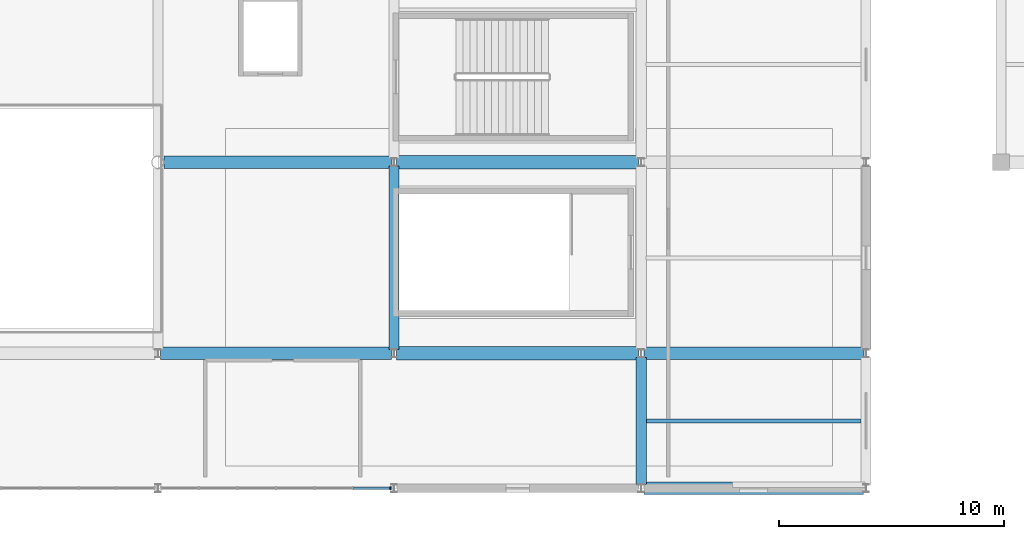
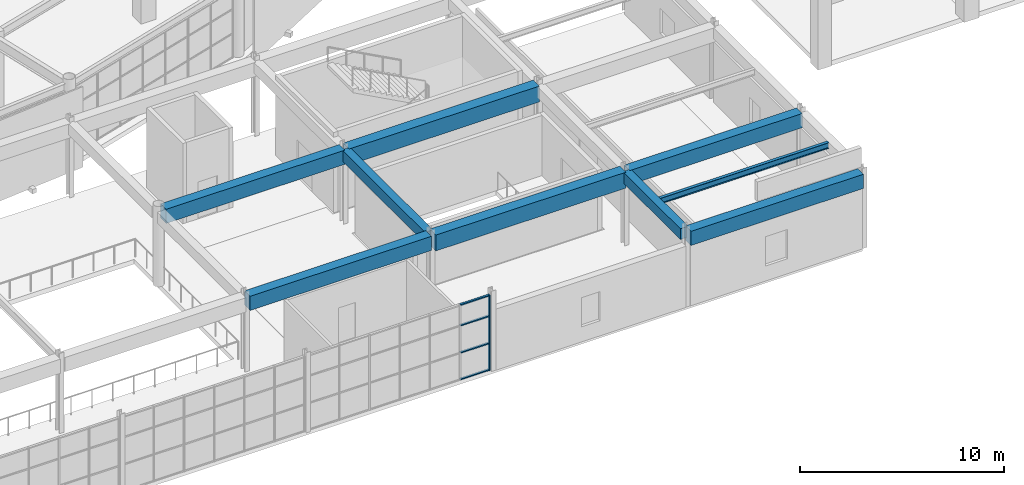
# One storey, part 29 of 112: 9 beams, 5 members, 1 element without a shape of its own.
"""IFC4 building model written with IfcOpenShell, lengths in metres."""

import ifcopenshell
import ifcopenshell.guid

model = None  # the IFC model being written
_history = None  # IfcOwnerHistory: only IFC2X3 demands one
_inside = {}  # id of a spatial element -> (the spatial element, [elements in it])
_under = {}  # id of a project, library or spatial element -> (it, [spatial elements below it])
_declared = {}  # id of a project -> (the project, [libraries it declares])
_typed = {}  # id of a type object -> (the type object, [elements of that type])
_made_of = {}  # id of a material, layer set ... -> (it, [elements and type objects made of it])


def new_model(schema):
    """Start an empty IFC model of exactly this schema.

    Asked for "IFC4X3", IfcOpenShell would pick the latest addendum, in which some entities
    have other attributes; the version numbers below select the first issue.
    IFC2X3 requires an IfcOwnerHistory on every rooted entity: one is made here for all.
    """
    global model, _history
    if schema == "IFC4X3":
        model = ifcopenshell.file(schema_version=(4, 3, 0, 0))
    else:
        model = ifcopenshell.file(schema=schema)
    _inside.clear()
    _under.clear()
    _declared.clear()
    _typed.clear()
    _made_of.clear()
    _history = None
    if model.schema == "IFC2X3":
        org = make("IfcOrganization", Name="unknown")
        user = make(
            "IfcPersonAndOrganization",
            ThePerson=make("IfcPerson", FamilyName="unknown"),
            TheOrganization=org,
        )
        app = make(
            "IfcApplication",
            ApplicationDeveloper=org,
            Version="unknown",
            ApplicationFullName="unknown",
            ApplicationIdentifier="unknown",
        )
        _history = make(
            "IfcOwnerHistory",
            OwningUser=user,
            OwningApplication=app,
            ChangeAction="ADDED",
            CreationDate=0,
        )
    return model


def make(cls, **values):
    """One entity of the class cls with the attributes given. An attribute that is None is left unset."""
    return model.create_entity(
        cls, **{name: value for name, value in values.items() if value is not None}
    )


def rooted(cls, **values):
    """An entity with a GlobalId (a new one), such as an element, a storey or a relation."""
    return make(cls, GlobalId=ifcopenshell.guid.new(), OwnerHistory=_history, **values)


def si_unit(unit_type, name, prefix=None):
    """IfcSIUnit, for example si_unit("LENGTHUNIT", "METRE", prefix="MILLI")."""
    return make("IfcSIUnit", UnitType=unit_type, Prefix=prefix, Name=name)


def assignment(units):
    """IfcUnitAssignment: the units of a project."""
    return None if units is None else make("IfcUnitAssignment", Units=units)


def point(xyz):
    """IfcCartesianPoint."""
    return None if xyz is None else make("IfcCartesianPoint", Coordinates=xyz)


def direction(xyz):
    """IfcDirection."""
    return None if xyz is None else make("IfcDirection", DirectionRatios=xyz)


def frame(location, z_axis=None, x_axis=None):
    """IfcAxis2Placement3D, a coordinate frame: its origin and axes. An axis left out is left unset."""
    return make(
        "IfcAxis2Placement3D",
        Location=point(location),
        Axis=direction(z_axis),
        RefDirection=direction(x_axis),
    )


def frame_2d(location, x_axis=None):
    """IfcAxis2Placement2D, a coordinate frame in the plane: its origin and x axis."""
    return make(
        "IfcAxis2Placement2D", Location=point(location), RefDirection=direction(x_axis)
    )


def origin():
    """The frame at (0, 0, 0) with its axes left unset."""
    return frame((0.0, 0.0, 0.0))


def origin_2d():
    """The frame at (0, 0) in the plane with its x axis left unset."""
    return frame_2d((0.0, 0.0))


def place(relative_to, where):
    """IfcLocalPlacement: puts the frame where relative to a parent placement (None: the world)."""
    return make(
        "IfcLocalPlacement", PlacementRelTo=relative_to, RelativePlacement=where
    )


def context(
    kind, dimensions, precision=None, world=None, true_north=None, identifier=None
):
    """IfcGeometricRepresentationContext, for example the 3D "Model" context."""
    return make(
        "IfcGeometricRepresentationContext",
        ContextIdentifier=identifier,
        ContextType=kind,
        CoordinateSpaceDimension=dimensions,
        Precision=precision,
        WorldCoordinateSystem=world,
        TrueNorth=true_north,
    )


def subcontext(parent, identifier, kind, view, scale=None):
    """IfcGeometricRepresentationSubContext, for example "Body" below "Model"."""
    return make(
        "IfcGeometricRepresentationSubContext",
        ContextIdentifier=identifier,
        ContextType=kind,
        ParentContext=parent,
        TargetScale=scale,
        TargetView=view,
    )


def project(units=None, contexts=None):
    """IfcProject with its units and contexts."""
    return rooted(
        "IfcProject",
        Name="project",
        RepresentationContexts=contexts,
        UnitsInContext=assignment(units),
    )


def spatial(cls, under=None, at=None, **own):
    """A site, building, storey or space (cls), placed at a placement, below another one or the project."""
    s = rooted(cls, ObjectPlacement=at, **own)
    if under is not None:
        _under.setdefault(under.id(), (under, []))[1].append(s)
    return s


def profile(cls, at=None, kind="AREA", **sizes):
    """A parametric profile (cls). Its sizes go by their IFC names, for example OverallWidth=200.0."""
    return make(cls, ProfileType=kind, Position=at, **sizes)


def rectangle(**sizes):
    """IfcRectangleProfileDef."""
    return profile("IfcRectangleProfileDef", **sizes)


def i_section(**sizes):
    """IfcIShapeProfileDef."""
    return profile("IfcIShapeProfileDef", **sizes)


def extrude(swept, where, along, depth):
    """IfcExtrudedAreaSolid: the profile swept, set in the frame where, extruded along a direction by depth."""
    return make(
        "IfcExtrudedAreaSolid",
        SweptArea=swept,
        Position=where,
        ExtrudedDirection=direction(along),
        Depth=depth,
    )


def shape(context_of_items, identifier, shape_type, items):
    """IfcShapeRepresentation: the items that make up one representation, for example the "Body"."""
    return make(
        "IfcShapeRepresentation",
        ContextOfItems=context_of_items,
        RepresentationIdentifier=identifier,
        RepresentationType=shape_type,
        Items=items,
    )


def material(Name=None, Category=None):
    """IfcMaterial."""
    return make("IfcMaterial", Name=Name, Category=Category)


def material_profile(
    of_material, cross_section, Name=None, Category=None, Priority=None
):
    """IfcMaterialProfile: a cross section and its material."""
    return make(
        "IfcMaterialProfile",
        Name=Name,
        Material=of_material,
        Profile=cross_section,
        Priority=Priority,
        Category=Category,
    )


def profile_set(profiles, Name=None, composite=None):
    """IfcMaterialProfileSet."""
    return make(
        "IfcMaterialProfileSet",
        Name=Name,
        MaterialProfiles=profiles,
        CompositeProfile=composite,
    )


def made_of(thing, what):
    """Note that an element or type object is made of a material, layer set ...; save() writes the relation."""
    if what is not None:
        _made_of.setdefault(what.id(), (what, []))[1].append(thing)
    return thing


def type_object(cls, material=None, **own):
    """A type object (cls), such as IfcWallType, which elements share."""
    return made_of(rooted(cls, **own), material)


def element(
    cls,
    number,
    at=None,
    inside=None,
    cuts=None,
    type_object=None,
    material=None,
    context=None,
    identifier="Body",
    shape_type=None,
    held_by="IfcProductDefinitionShape",
    body=None,
    shapes=None,
    **own,
):
    """One element of the class cls, such as IfcWall. Its Tag is "e" and its number.

    at: its placement. inside: the storey or other place that contains it. cuts: it is an
    opening in that element (IfcRelVoidsElement). A single representation is given by context,
    identifier, shape_type and body (its items); several are given by shapes. held_by: the class
    of the entity that holds the representations. save() writes the other relations.
    """
    e = rooted(cls, Tag="e%d" % number, ObjectPlacement=at, **own)
    if body is not None:
        shapes = [shape(context, identifier, shape_type, body)]
    if shapes is not None:
        e.Representation = make(held_by, Representations=shapes)
    if inside is not None:
        _inside.setdefault(inside.id(), (inside, []))[1].append(e)
    if cuts is not None:
        rooted(
            "IfcRelVoidsElement", RelatingBuildingElement=cuts, RelatedOpeningElement=e
        )
    if type_object is not None:
        _typed.setdefault(type_object.id(), (type_object, []))[1].append(e)
    return made_of(e, material)


def aggregate(whole, parts):
    """IfcRelAggregates: a whole, such as a stair, and the parts it consists of."""
    return rooted("IfcRelAggregates", RelatingObject=whole, RelatedObjects=parts)


def save(model, path):
    """Write the relations noted so far, then the file.

    IfcRelAggregates (storeys below a building ...), IfcRelContainedInSpatialStructure (elements
    in a storey), IfcRelDefinesByType, IfcRelAssociatesMaterial and IfcRelDeclares: one each for
    every whole, place, type object, material and project.
    """
    for whole, parts in _under.values():
        aggregate(whole, parts)
    for where, things in _inside.values():
        rooted(
            "IfcRelContainedInSpatialStructure",
            RelatedElements=things,
            RelatingStructure=where,
        )
    for kind, things in _typed.values():
        rooted("IfcRelDefinesByType", RelatedObjects=things, RelatingType=kind)
    for what, things in _made_of.values():
        rooted("IfcRelAssociatesMaterial", RelatedObjects=things, RelatingMaterial=what)
    for by, libraries in _declared.values():
        rooted("IfcRelDeclares", RelatingContext=by, RelatedDefinitions=libraries)
    model.write(path)


model = new_model("IFC4")

# Units and contexts
model_context = context("Model", 3, precision=1e-05, world=origin(), true_north=direction((0.0, 1.0)))
body_context = subcontext(model_context, "Body", "Model", "MODEL_VIEW")
ifc_project = project(units=[si_unit("LENGTHUNIT", "METRE"), si_unit("AREAUNIT", "SQUARE_METRE"), si_unit("VOLUMEUNIT", "CUBIC_METRE"), si_unit("PLANEANGLEUNIT", "RADIAN"), si_unit("MASSUNIT", "GRAM", prefix="KILO")], contexts=[model_context])

# Site, building, storey
site_placement = place(None, origin())
site = spatial("IfcSite", under=ifc_project, at=site_placement, CompositionType="ELEMENT")
building_placement = place(site_placement, origin())
building = spatial("IfcBuilding", under=site, at=building_placement, Name="Cuetzalor Civic Arena", CompositionType="ELEMENT")
storey_placement = place(building_placement, frame((0.0, 0.0, 11.39990234375)))
storey = spatial("IfcBuildingStorey", under=building, at=storey_placement, Name="L02", CompositionType="ELEMENT", Elevation=11.39990234375)

# Beams
ifc_material_1 = material(Name="Concrete C40/50", Category="concrete")
ifc_material_profile_1 = material_profile(ifc_material_1, rectangle(XDim=0.550048828125, YDim=0.85009765625, at=origin_2d()), Name="RC 550x850")
ifc_profile_set_1 = profile_set([ifc_material_profile_1], Name="Concrete C40/50")
beam_type_1 = type_object("IfcBeamType", Name="ConcreteFrameBeam_550x850", PredefinedType="BEAM", material=ifc_profile_set_1)
beam_1_placement = place(storey_placement, frame((32.118408203125, -71.5, 4.09521484375), z_axis=(1.0, 0.0, 0.0), x_axis=(0.0, 1.0, 0.0)))
element("IfcBeam", 1, at=beam_1_placement, inside=storey, type_object=beam_type_1, Name="Frame Girder V3-L02-X0578", PredefinedType="BEAM", context=body_context, shape_type="SweptSolid", body=[
    extrude(rectangle(XDim=0.550048828125, YDim=0.85009765625, at=origin_2d()), origin(), (0.0, 0.0, 1.0), 9.76318359375),
])
beam_2_placement = place(storey_placement, frame((10.618408203125, -65.5, 4.09521484375), z_axis=(1.0, 0.0, 0.0), x_axis=(0.0, 1.0, 0.0)))
element("IfcBeam", 2, at=beam_2_placement, inside=storey, type_object=beam_type_1, Name="Frame Girder V3-L02-X0584", PredefinedType="BEAM", context=body_context, shape_type="SweptSolid", body=[
    extrude(rectangle(XDim=0.550048828125, YDim=0.85009765625, at=origin_2d()), origin(), (0.0, 0.0, 1.0), 10.26318359375),
])
beam_3_placement = place(storey_placement, frame((32.118408203125, -65.5, 4.09521484375), z_axis=(1.0, 0.0, 0.0), x_axis=(0.0, 1.0, 0.0)))
element("IfcBeam", 3, at=beam_3_placement, inside=storey, type_object=beam_type_1, Name="Frame Girder V3-L02-X0586", PredefinedType="BEAM", context=body_context, shape_type="SweptSolid", body=[
    extrude(rectangle(XDim=0.550048828125, YDim=0.85009765625, at=origin_2d()), origin(), (0.0, 0.0, 1.0), 9.76318359375),
])
beam_4_placement = place(storey_placement, frame((10.76953125, -57.0, 4.09521484375), z_axis=(1.0, 0.0, 0.0), x_axis=(0.0, 1.0, 0.0)))
element("IfcBeam", 4, at=beam_4_placement, inside=storey, type_object=beam_type_1, Name="Frame Girder V3-L02-X0590", PredefinedType="BEAM", context=body_context, shape_type="SweptSolid", body=[
    extrude(rectangle(XDim=0.550048828125, YDim=0.85009765625, at=origin_2d()), origin(), (0.0, 0.0, 1.0), 10.112060546875),
])
ifc_material_2 = material(Name="Concrete C40/50", Category="concrete")
ifc_material_profile_2 = material_profile(ifc_material_2, rectangle(XDim=0.60009765625, YDim=0.949951171875, at=origin_2d()), Name="RC 600x950")
ifc_profile_set_2 = profile_set([ifc_material_profile_2], Name="Concrete C40/50")
beam_type_2 = type_object("IfcBeamType", Name="ConcreteFrameBeam_600x950", PredefinedType="BEAM", material=ifc_profile_set_2)
for number, where, z_axis, x_axis, name in (
    (5, (21.118408203125, -65.5, 4.045166015625), (1.0, 0.0, 0.0), (0.0, 1.0, 0.0), "Frame Girder V3-L02-X0585"),
    (6, (21.118408203125, -57.0, 4.045166015625), (1.0, 0.0, 0.0), (0.0, 1.0, 0.0), "Frame Girder V3-L02-X0591"),
):
    element("IfcBeam", number, at=place(storey_placement, frame(where, z_axis=z_axis, x_axis=x_axis)), inside=storey, type_object=beam_type_2, Name=name, PredefinedType="BEAM", context=body_context, shape_type="SweptSolid", body=[
        extrude(rectangle(XDim=0.60009765625, YDim=0.949951171875, at=origin_2d()), origin(), (0.0, 0.0, 1.0), 10.76318359375),
    ])
ifc_material_3 = material(Name="Concrete C40/50", Category="concrete")
ifc_material_profile_3 = material_profile(ifc_material_3, rectangle(XDim=0.449951171875, YDim=0.64990234375, at=origin_2d()), Name="RC 450x650")
ifc_profile_set_3 = profile_set([ifc_material_profile_3], Name="Concrete C40/50")
beam_type_3 = type_object("IfcBeamType", Name="ConcreteTieBeam_450x650", PredefinedType="BEAM", material=ifc_profile_set_3)
beam_5_placement = place(storey_placement, frame((21.0, -65.32861328125, 4.195068359375), z_axis=(0.0, 1.0, 0.0), x_axis=(-1.0, 0.0, 0.0)))
element("IfcBeam", 7, at=beam_5_placement, inside=storey, type_object=beam_type_3, Name="Frame Girder V3-L02-Y0614", PredefinedType="BEAM", context=body_context, shape_type="SweptSolid", body=[
    extrude(rectangle(XDim=0.449951171875, YDim=0.64990234375, at=origin_2d()), origin(), (0.0, 0.0, 1.0), 8.1572265625),
])
beam_6_placement = place(storey_placement, frame((32.0, -71.32861328125, 4.195068359375), z_axis=(0.0, 1.0, 0.0), x_axis=(-1.0, 0.0, 0.0)))
element("IfcBeam", 8, at=beam_6_placement, inside=storey, type_object=beam_type_3, Name="Frame Girder V3-L02-Y0616", PredefinedType="BEAM", context=body_context, shape_type="SweptSolid", body=[
    extrude(rectangle(XDim=0.449951171875, YDim=0.64990234375, at=origin_2d()), origin(), (0.0, 0.0, 1.0), 5.6572265625),
])

# Curtain wall, members
ifc_material_4 = material(Name="Anodised dark bronze aluminium and low-E solar glass", Category="aluminium")
curtain_wall_type = type_object("IfcCurtainWallType", Name="StickCW_10250x4500", PredefinedType="USERDEFINED", material=ifc_material_4)
curtain_wall_placement = place(storey_placement, origin())
curtain_wall = element("IfcCurtainWall", 9, at=curtain_wall_placement, inside=storey, type_object=curtain_wall_type, Name="South Civic Square Curtain Wall L02-090", ObjectType="STICK CURTAIN WALL", PredefinedType="USERDEFINED")
ifc_material_5 = material(Name="Anodised dark bronze aluminium", Category="aluminium")
ifc_material_profile_4 = material_profile(ifc_material_5, rectangle(XDim=0.06494140625, YDim=0.14990234375, at=origin_2d()), Name="ALU MULLION 65x150")
ifc_profile_set_4 = profile_set([ifc_material_profile_4], Name="Anodised dark bronze aluminium")
member_type_1 = type_object("IfcMemberType", Name="CurtainWallMullion_60x150", PredefinedType="MULLION", material=ifc_profile_set_4)
member_1_placement = place(storey_placement, frame((20.843017578125, -71.5, 0.0), z_axis=(0.0, 0.0, 1.0), x_axis=(-1.0, 0.0, 0.0)))
member_1 = element("IfcMember", 10, at=member_1_placement, type_object=member_type_1, Name="CW-27 mullion 1", PredefinedType="MULLION", context=body_context, shape_type="SweptSolid", body=[
    extrude(rectangle(XDim=0.06494140625, YDim=0.14990234375, at=origin_2d()), origin(), (0.0, 0.0, 1.0), 4.52001953125),
])
ifc_material_6 = material(Name="Anodised dark bronze aluminium", Category="aluminium")
ifc_material_profile_5 = material_profile(ifc_material_6, rectangle(XDim=0.1201171875, YDim=0.06494140625, at=origin_2d()), Name="ALU TRANSOM 65x120")
ifc_profile_set_5 = profile_set([ifc_material_profile_5], Name="Anodised dark bronze aluminium")
member_type_2 = type_object("IfcMemberType", Name="CurtainWallTransom_60x120", PredefinedType="USERDEFINED", material=ifc_profile_set_5)
member_2_placement = place(storey_placement, frame((20.810546875, -71.5, 0.03271484375), z_axis=(-1.0, 0.0, 0.0), x_axis=(0.0, -1.0, 0.0)))
member_2 = element("IfcMember", 11, at=member_2_placement, type_object=member_type_2, Name="CW-27 transom 1.1", ObjectType="TRANSOM", PredefinedType="USERDEFINED", context=body_context, shape_type="SweptSolid", body=[
    extrude(rectangle(XDim=0.1201171875, YDim=0.06494140625, at=origin_2d()), origin(), (0.0, 0.0, 1.0), 1.611083984375),
])
member_3_placement = place(storey_placement, frame((20.810546875, -71.5, 1.627197265625), z_axis=(-1.0, 0.0, 0.0), x_axis=(0.0, -1.0, 0.0)))
member_3 = element("IfcMember", 12, at=member_3_placement, type_object=member_type_2, Name="CW-27 transom 1.2", ObjectType="TRANSOM", PredefinedType="USERDEFINED", context=body_context, shape_type="SweptSolid", body=[
    extrude(rectangle(XDim=0.1201171875, YDim=0.06494140625, at=origin_2d()), origin(), (0.0, 0.0, 1.0), 1.611083984375),
])
member_4_placement = place(storey_placement, frame((20.810546875, -71.5, 3.254150390625), z_axis=(-1.0, 0.0, 0.0), x_axis=(0.0, -1.0, 0.0)))
member_4 = element("IfcMember", 13, at=member_4_placement, type_object=member_type_2, Name="CW-27 transom 1.3", ObjectType="TRANSOM", PredefinedType="USERDEFINED", context=body_context, shape_type="SweptSolid", body=[
    extrude(rectangle(XDim=0.1201171875, YDim=0.06494140625, at=origin_2d()), origin(), (0.0, 0.0, 1.0), 1.611083984375),
])
member_5_placement = place(storey_placement, frame((20.810546875, -71.5, 4.487548828125), z_axis=(-1.0, 0.0, 0.0), x_axis=(0.0, -1.0, 0.0)))
member_5 = element("IfcMember", 14, at=member_5_placement, type_object=member_type_2, Name="CW-27 transom 1.4", ObjectType="TRANSOM", PredefinedType="USERDEFINED", context=body_context, shape_type="SweptSolid", body=[
    extrude(rectangle(XDim=0.1201171875, YDim=0.06494140625, at=origin_2d()), origin(), (0.0, 0.0, 1.0), 1.611083984375),
])
aggregate(curtain_wall, [member_1, member_2, member_3, member_4, member_5])

# Beam
ifc_material_7 = material(Name="Steel S355", Category="steel")
ifc_material_profile_6 = material_profile(ifc_material_7, i_section(OverallWidth=0.1708984375, OverallDepth=0.35498046875, WebThickness=0.007080078125, FlangeThickness=0.01171875, at=origin_2d()), Name="W360x51")
ifc_profile_set_6 = profile_set([ifc_material_profile_6], Name="Steel S355")
beam_type_4 = type_object("IfcBeamType", Name="SecondaryFloorJoist_W360", PredefinedType="JOIST", material=ifc_profile_set_6)
beam_7_placement = place(storey_placement, frame((32.217041015625, -68.5, 4.342529296875), z_axis=(1.0, 0.0, 0.0), x_axis=(0.0, 1.0, 0.0)))
element("IfcBeam", 15, at=beam_7_placement, inside=storey, type_object=beam_type_4, Name="Secondary Floor Joist V3-L02-0186", PredefinedType="JOIST", context=body_context, shape_type="SweptSolid", body=[
    extrude(i_section(OverallWidth=0.1708984375, OverallDepth=0.35498046875, WebThickness=0.007080078125, FlangeThickness=0.01171875, at=origin_2d()), origin(), (0.0, 0.0, 1.0), 9.56591796875),
])

save(model, "model.ifc")
